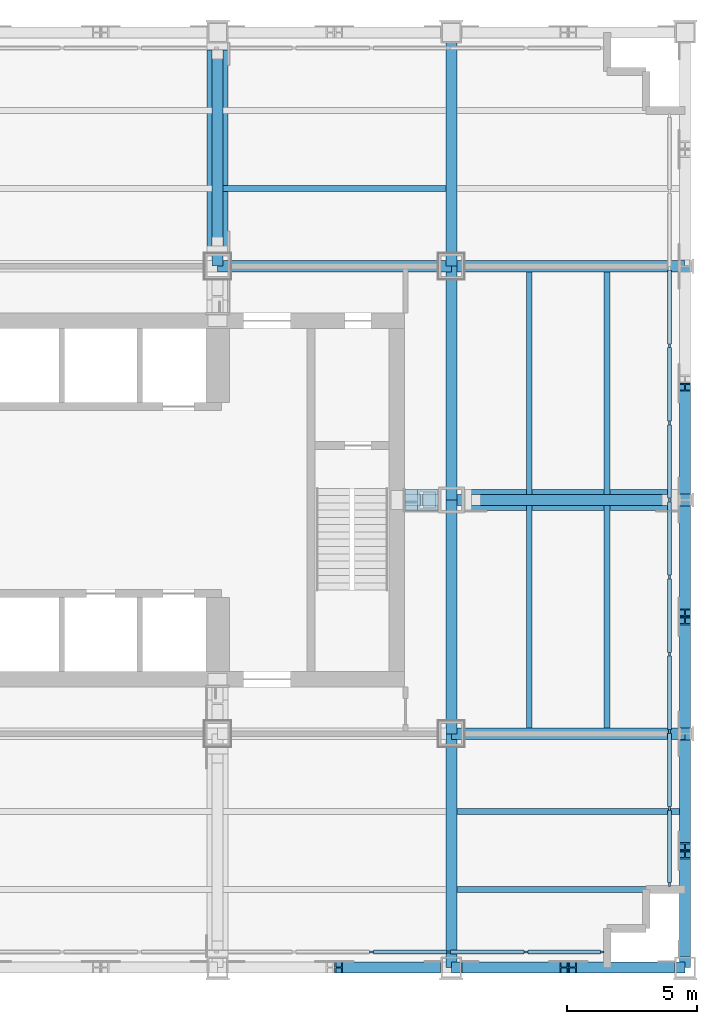
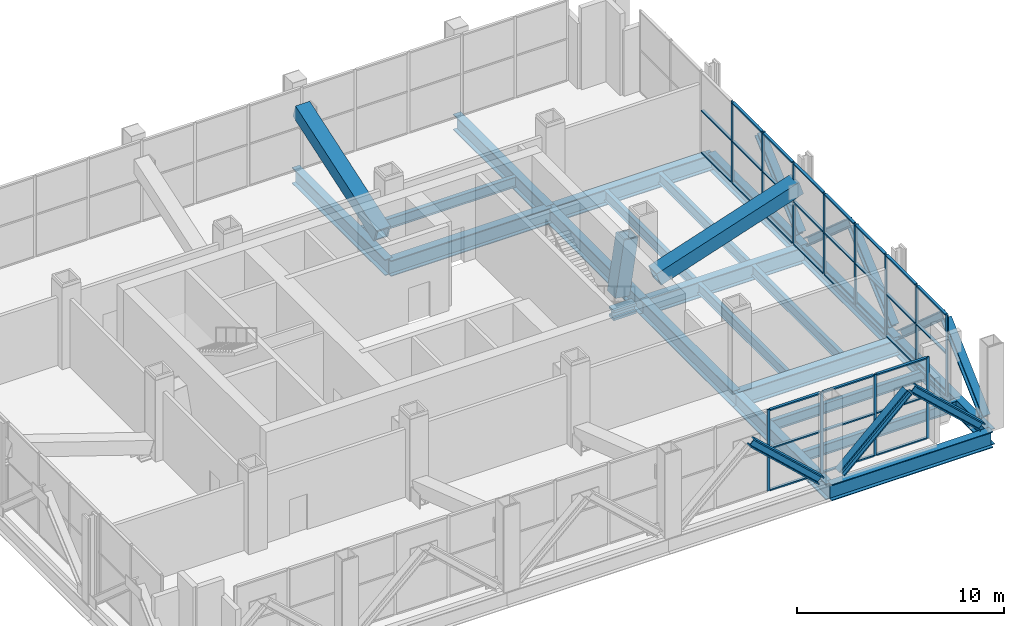
# One storey, part 5 of 16: 56 members, 20 beams, 2 elements without a shape of their own.
"""IFC4 building model written with IfcOpenShell, lengths in metres."""

from ifc_helpers import new_model, si_unit, direction, frame, origin, origin_2d, place, context, subcontext, project, spatial, rectangle, hollow_rectangle, i_section, extrude, material, material_profile, profile_set, type_object, element, aggregate, save


model = new_model("IFC4")

# Units and contexts
model_context = context("Model", 3, precision=1e-05, world=origin(), true_north=direction((0.0, 1.0)))
body_context = subcontext(model_context, "Body", "Model", "MODEL_VIEW")
ifc_project = project(units=[si_unit("LENGTHUNIT", "METRE"), si_unit("AREAUNIT", "SQUARE_METRE"), si_unit("VOLUMEUNIT", "CUBIC_METRE"), si_unit("PLANEANGLEUNIT", "RADIAN"), si_unit("MASSUNIT", "GRAM", prefix="KILO")], contexts=[model_context])

# Site, building, storey
site_placement = place(None, origin())
site = spatial("IfcSite", under=ifc_project, at=site_placement, CompositionType="ELEMENT")
building_placement = place(site_placement, origin())
building = spatial("IfcBuilding", under=site, at=building_placement, Name="Loomwork Tower", CompositionType="ELEMENT")
storey_placement = place(building_placement, frame((0.0, 0.0, 155.39990234375)))
storey = spatial("IfcBuildingStorey", under=building, at=storey_placement, Name="L42", CompositionType="ELEMENT", Elevation=155.39990234375)

# Beams
ifc_material_1 = material(Name="Steel ASTM A992", Category="steel")
ifc_material_profile_1 = material_profile(ifc_material_1, i_section(OverallWidth=0.424072265625, OverallDepth=0.947509765625, WebThickness=0.02392578125, FlangeThickness=0.042724609375, at=origin_2d()), Name="W36x302")
ifc_profile_set_1 = profile_set([ifc_material_profile_1], Name="Steel ASTM A992")
beam_type_1 = type_object("IfcBeamType", Name="BELT CHORD SPANDREL W36x302", PredefinedType="SPANDREL", material=ifc_profile_set_1)
for number, where, z_axis, x_axis, name in (
    (1, (36.0, 0.0, -0.7236328125), (1.0, 0.0, 0.0), (0.0, 1.0, 0.0), "Belt Chord Spandrel D/6-D/7 L42"),
    (2, (45.0, 0.0, -0.7236328125), (0.0, 1.0, 0.0), (-1.0, 0.0, 0.0), "Belt Chord Spandrel D/7-E/7 L42"),
    (3, (45.0, 9.0, -0.7236328125), (0.0, 1.0, 0.0), (-1.0, 0.0, 0.0), "Belt Chord Spandrel E/7-F/7 L42"),
    (4, (45.0, 18.0, -0.7236328125), (0.0, 1.0, 0.0), (-1.0, 0.0, 0.0), "Belt Chord Spandrel F/7-G/7 L42"),
):
    element("IfcBeam", number, at=place(storey_placement, frame(where, z_axis=z_axis, x_axis=x_axis)), inside=storey, type_object=beam_type_1, Name=name, PredefinedType="SPANDREL", context=body_context, shape_type="SweptSolid", body=[
        extrude(i_section(OverallWidth=0.424072265625, OverallDepth=0.947509765625, WebThickness=0.02392578125, FlangeThickness=0.042724609375, at=origin_2d()), origin(), (0.0, 0.0, 1.0), 9.0),
    ])

# Members
ifc_material_2 = material(Name="Steel ASTM A992", Category="steel")
ifc_material_profile_2 = material_profile(ifc_material_2, i_section(OverallWidth=0.419189453125, OverallDepth=0.45458984375, WebThickness=0.042236328125, FlangeThickness=0.067626953125, at=origin_2d()), Name="W14x370")
ifc_profile_set_2 = profile_set([ifc_material_profile_2], Name="Steel ASTM A992")
member_type_1 = type_object("IfcMemberType", Name="BELT TRUSS DIAGONAL W14x370", PredefinedType="BRACE", material=ifc_profile_set_2)
for number, where, z_axis, x_axis, name in (
    (5, (35.435302734375, 0.0, 0.1767578125), (-0.733176969672, 0.0, 0.680037889491), (0.0, -1.0, 0.0), "Belt truss diagonal D/5-D/6 L42"),
    (6, (36.564697265625, 0.0, 0.1767578125), (0.733176969672, 0.0, 0.680037889491), (0.0, 1.0, 0.0), "Belt truss diagonal D/6-D/7 L42"),
    (7, (44.435302734375, 0.0, 0.1767578125), (-0.733176969672, 0.0, 0.680037889491), (0.0, -1.0, 0.0), "Belt truss diagonal D/6-D/7 L42"),
    (8, (45.0, 0.564697265625, 0.1767578125), (0.0, 0.733176969672, 0.680037889491), (-1.0, 0.0, 0.0), "Belt truss diagonal D/7-E/7 L42"),
):
    element("IfcMember", number, at=place(storey_placement, frame(where, z_axis=z_axis, x_axis=x_axis)), inside=storey, type_object=member_type_1, Name=name, PredefinedType="BRACE", context=body_context, shape_type="SweptSolid", body=[
        extrude(i_section(OverallWidth=0.419189453125, OverallDepth=0.45458984375, WebThickness=0.042236328125, FlangeThickness=0.067626953125, at=origin_2d()), origin(), (0.0, 0.0, 1.0), 5.145751953125),
    ])
for number, where, z_axis, x_axis, name in (
    (9, (45.0, 8.61865234375, 0.1806640625), (0.0, -0.750125217925, 0.661295816887), (1.0, 0.0, 0.0), "Belt truss diagonal D/7-E/7 L42"),
    (10, (45.0, 9.38134765625, 0.1806640625), (0.0, 0.750125217925, 0.661295816887), (-1.0, 0.0, 0.0), "Belt truss diagonal E/7-F/7 L42"),
    (11, (45.0, 17.61865234375, 0.1806640625), (0.0, -0.750125217925, 0.661295816887), (1.0, 0.0, 0.0), "Belt truss diagonal E/7-F/7 L42"),
    (12, (45.0, 18.38134765625, 0.1806640625), (0.0, 0.750125217925, 0.661295816887), (-1.0, 0.0, 0.0), "Belt truss diagonal F/7-G/7 L42"),
):
    element("IfcMember", number, at=place(storey_placement, frame(where, z_axis=z_axis, x_axis=x_axis)), inside=storey, type_object=member_type_1, Name=name, PredefinedType="BRACE", context=body_context, shape_type="SweptSolid", body=[
        extrude(i_section(OverallWidth=0.419189453125, OverallDepth=0.45458984375, WebThickness=0.042236328125, FlangeThickness=0.067626953125, at=origin_2d()), origin(), (0.0, 0.0, 1.0), 5.27978515625),
    ])
ifc_material_3 = material(Name="Steel ASTM A572 Grade 50 plate", Category="steel")
ifc_material_profile_3 = material_profile(ifc_material_3, hollow_rectangle(XDim=0.800048828125, YDim=0.800048828125, WallThickness=0.090087890625, at=origin_2d()), Name="BOX800x90")
ifc_profile_set_3 = profile_set([ifc_material_profile_3], Name="Steel ASTM A572 Grade 50 plate")
member_type_2 = type_object("IfcMemberType", Name="OUTRIGGER DIAGONAL BOX800x90", PredefinedType="BRACE", material=ifc_profile_set_3)
member_1_placement = place(storey_placement, frame((44.588134765625, 18.0, 3.4609375), z_axis=(-0.949450194103, 0.0, -0.313917710423), x_axis=(0.0, -1.0, 0.0)))
element("IfcMember", 13, at=member_1_placement, inside=storey, type_object=member_type_2, Name="Outrigger diagonal F/7 L42", PredefinedType="BRACE", context=body_context, shape_type="SweptSolid", body=[
    extrude(hollow_rectangle(XDim=0.800048828125, YDim=0.800048828125, WallThickness=0.090087890625, at=origin_2d()), origin(), (0.0, 0.0, 1.0), 8.373779296875),
])
member_2_placement = place(storey_placement, frame((35.09228515625, 18.0, 3.781982421875), z_axis=(-0.146556688466, 0.0, -0.98920227308), x_axis=(0.0, -1.0, 0.0)))
element("IfcMember", 14, at=member_2_placement, inside=storey, type_object=member_type_2, Name="Outrigger diagonal F/6 L42", PredefinedType="BRACE", context=body_context, shape_type="SweptSolid", body=[
    extrude(hollow_rectangle(XDim=0.800048828125, YDim=0.800048828125, WallThickness=0.090087890625, at=origin_2d()), origin(), (0.0, 0.0, 1.0), 3.306640625),
])
member_3_placement = place(storey_placement, frame((27.0, 35.46044921875, 3.46142578125), z_axis=(0.0, -0.947848598928, -0.318720933593), x_axis=(1.0, 0.0, 0.0)))
element("IfcMember", 15, at=member_3_placement, inside=storey, type_object=member_type_2, Name="Outrigger diagonal H/5 L42", PredefinedType="BRACE", context=body_context, shape_type="SweptSolid", body=[
    extrude(hollow_rectangle(XDim=0.800048828125, YDim=0.800048828125, WallThickness=0.090087890625, at=origin_2d()), origin(), (0.0, 0.0, 1.0), 8.25146484375),
])

# Beams
ifc_material_4 = material(Name="Steel ASTM A992", Category="steel")
ifc_material_profile_4 = material_profile(ifc_material_4, i_section(OverallWidth=0.4267578125, OverallDepth=0.939697265625, WebThickness=0.028564453125, FlangeThickness=0.050537109375, at=origin_2d()), Name="W36x361")
ifc_profile_set_4 = profile_set([ifc_material_profile_4], Name="Steel ASTM A992")
beam_type_2 = type_object("IfcBeamType", Name="OUTRIGGER FLOOR GIRDER W36x361", PredefinedType="BEAM", material=ifc_profile_set_4)
for number, where, z_axis, x_axis, name in (
    (16, (36.0, 9.0, -0.7197265625), (1.0, 0.0, 0.0), (0.0, 1.0, 0.0), "Outrigger Floor Girder E/6-E/7 L42"),
    (17, (27.0, 27.0, -0.7197265625), (1.0, 0.0, 0.0), (0.0, 1.0, 0.0), "Outrigger Floor Girder G/5-G/6 L42"),
    (18, (36.0, 27.0, -0.7197265625), (1.0, 0.0, 0.0), (0.0, 1.0, 0.0), "Outrigger Floor Girder G/6-G/7 L42"),
    (19, (36.0, 0.0, -0.7197265625), (0.0, 1.0, 0.0), (-1.0, 0.0, 0.0), "Outrigger Floor Girder D/6-E/6 L42"),
    (20, (36.0, 9.0, -0.7197265625), (0.0, 1.0, 0.0), (-1.0, 0.0, 0.0), "Outrigger Floor Girder E/6-F/6 L42"),
    (21, (36.0, 18.0, -0.7197265625), (0.0, 1.0, 0.0), (-1.0, 0.0, 0.0), "Outrigger Floor Girder F/6-G/6 L42"),
    (22, (36.0, 27.0, -0.7197265625), (0.0, 1.0, 0.0), (-1.0, 0.0, 0.0), "Outrigger Floor Girder G/6-H/6 L42"),
):
    element("IfcBeam", number, at=place(storey_placement, frame(where, z_axis=z_axis, x_axis=x_axis)), inside=storey, type_object=beam_type_2, Name=name, PredefinedType="BEAM", context=body_context, shape_type="SweptSolid", body=[
        extrude(i_section(OverallWidth=0.4267578125, OverallDepth=0.939697265625, WebThickness=0.028564453125, FlangeThickness=0.050537109375, at=origin_2d()), origin(), (0.0, 0.0, 1.0), 9.0),
    ])
ifc_material_5 = material(Name="Steel ASTM A992", Category="steel")
ifc_material_profile_5 = material_profile(ifc_material_5, i_section(OverallWidth=0.424072265625, OverallDepth=0.947509765625, WebThickness=0.02392578125, FlangeThickness=0.042724609375, at=origin_2d()), Name="W36x302")
ifc_profile_set_5 = profile_set([ifc_material_profile_5], Name="Steel ASTM A992")
beam_type_3 = type_object("IfcBeamType", Name="OUTRIGGER GIRDER W36x302", PredefinedType="BEAM", material=ifc_profile_set_5)
for number, where, z_axis, x_axis, name in (
    (23, (36.0, 18.0, -0.7236328125), (1.0, 0.0, 0.0), (0.0, 1.0, 0.0), "Outrigger Girder F/6-F/7 L42"),
    (24, (27.0, 27.0, -0.7236328125), (0.0, 1.0, 0.0), (-1.0, 0.0, 0.0), "Outrigger Girder G/5-H/5 L42"),
):
    element("IfcBeam", number, at=place(storey_placement, frame(where, z_axis=z_axis, x_axis=x_axis)), inside=storey, type_object=beam_type_3, Name=name, PredefinedType="BEAM", context=body_context, shape_type="SweptSolid", body=[
        extrude(i_section(OverallWidth=0.424072265625, OverallDepth=0.947509765625, WebThickness=0.02392578125, FlangeThickness=0.042724609375, at=origin_2d()), origin(), (0.0, 0.0, 1.0), 9.0),
    ])

# Member
ifc_material_6 = material(Name="Steel ASTM A992", Category="steel")
ifc_material_profile_6 = material_profile(ifc_material_6, i_section(OverallWidth=0.4775390625, OverallDepth=0.599365234375, WebThickness=0.10009765625, FlangeThickness=0.139892578125, at=origin_2d()), Name="W14x873")
ifc_profile_set_6 = profile_set([ifc_material_profile_6], Name="Steel ASTM A992")
member_type_3 = type_object("IfcMemberType", Name="OUTRIGGER STRUT W14x873", PredefinedType="STRUT", material=ifc_profile_set_6)
member_4_placement = place(storey_placement, frame((35.489990234375, 18.0, -0.549560546875), z_axis=(-1.0, 0.0, 0.0), x_axis=(0.0, -1.0, 0.0)))
element("IfcMember", 25, at=member_4_placement, inside=storey, type_object=member_type_3, Name="Outrigger strut F/6-33.900,18.000 L42", PredefinedType="STRUT", context=body_context, shape_type="SweptSolid", body=[
    extrude(i_section(OverallWidth=0.4775390625, OverallDepth=0.599365234375, WebThickness=0.10009765625, FlangeThickness=0.139892578125, at=origin_2d()), origin(), (0.0, 0.0, 1.0), 1.27490234375),
])

# Beams
ifc_material_7 = material(Name="Steel ASTM A992", Category="steel")
ifc_material_profile_7 = material_profile(ifc_material_7, i_section(OverallWidth=0.228271484375, OverallDepth=0.607177734375, WebThickness=0.01123046875, FlangeThickness=0.017333984375, at=origin_2d()), Name="W24x76")
ifc_profile_set_7 = profile_set([ifc_material_profile_7], Name="Steel ASTM A992")
beam_type_4 = type_object("IfcBeamType", Name="PLANT FLOOR JOIST W24x76", PredefinedType="JOIST", material=ifc_profile_set_7)
for number, where, z_axis, x_axis, name in (
    (26, (27.2119140625, 30.0, -0.553466796875), (1.0, 0.0, 0.0), (0.0, 1.0, 0.0), "Plant Floor Joist 27.000,30.000-36.000,30.000 L42"),
    (27, (36.212890625, 3.0, -0.553466796875), (1.0, 0.0, 0.0), (0.0, 1.0, 0.0), "Plant Floor Joist 36.000,3.000-45.000,3.000 L42"),
    (28, (36.212890625, 6.0, -0.553466796875), (1.0, 0.0, 0.0), (0.0, 1.0, 0.0), "Plant Floor Joist 36.000,6.000-45.000,6.000 L42"),
    (29, (39.0, 9.212890625, -0.553466796875), (0.0, 1.0, 0.0), (-1.0, 0.0, 0.0), "Plant Floor Joist 39.000,9.000-39.000,18.000 L42"),
    (30, (42.0, 9.212890625, -0.553466796875), (0.0, 1.0, 0.0), (-1.0, 0.0, 0.0), "Plant Floor Joist 42.000,9.000-42.000,18.000 L42"),
    (31, (39.0, 18.2119140625, -0.553466796875), (0.0, 1.0, 0.0), (-1.0, 0.0, 0.0), "Plant Floor Joist 39.000,18.000-39.000,27.000 L42"),
    (32, (42.0, 18.2119140625, -0.553466796875), (0.0, 1.0, 0.0), (-1.0, 0.0, 0.0), "Plant Floor Joist 42.000,18.000-42.000,27.000 L42"),
):
    element("IfcBeam", number, at=place(storey_placement, frame(where, z_axis=z_axis, x_axis=x_axis)), inside=storey, type_object=beam_type_4, Name=name, PredefinedType="JOIST", context=body_context, shape_type="SweptSolid", body=[
        extrude(i_section(OverallWidth=0.228271484375, OverallDepth=0.607177734375, WebThickness=0.01123046875, FlangeThickness=0.017333984375, at=origin_2d()), origin(), (0.0, 0.0, 1.0), 8.5751953125),
    ])

# Curtain wall, members
ifc_material_8 = material(Name="Aluminium louvre frame", Category="aluminium")
curtain_wall_type = type_object("IfcCurtainWallType", Name="Plant floor louvre screen", PredefinedType="NOTDEFINED", material=ifc_material_8)
curtain_wall_1_placement = place(storey_placement, origin())
curtain_wall_1 = element("IfcCurtainWall", 33, at=curtain_wall_1_placement, inside=storey, type_object=curtain_wall_type, Name="Plant floor louvre screen cw/S", PredefinedType="NOTDEFINED")
ifc_material_9 = material(Name="Aluminium louvre frame", Category="aluminium")
ifc_material_profile_8 = material_profile(ifc_material_9, rectangle(XDim=0.080078125, YDim=0.14990234375, at=origin_2d()), Name="AL 80x150")
ifc_profile_set_8 = profile_set([ifc_material_profile_8], Name="Aluminium louvre frame")
member_type_4 = type_object("IfcMemberType", Name="Plant floor louvre screen mullion", PredefinedType="MULLION", material=ifc_profile_set_8)
member_5_placement = place(storey_placement, frame((32.919189453125, 0.60009765625, 0.0), z_axis=(0.0, 0.0, 1.0), x_axis=(0.0, 1.0, 0.0)))
member_5 = element("IfcMember", 34, at=member_5_placement, type_object=member_type_4, Name="CW4 mullion 11", PredefinedType="MULLION", context=body_context, shape_type="SweptSolid", body=[
    extrude(rectangle(XDim=0.080078125, YDim=0.14990234375, at=origin_2d()), origin(), (0.0, 0.0, 1.0), 4.800048828125),
])
member_6_placement = place(storey_placement, frame((35.896240234375, 0.60009765625, 0.0), z_axis=(0.0, 0.0, 1.0), x_axis=(0.0, 1.0, 0.0)))
member_6 = element("IfcMember", 35, at=member_6_placement, type_object=member_type_4, Name="CW4 mullion 12", PredefinedType="MULLION", context=body_context, shape_type="SweptSolid", body=[
    extrude(rectangle(XDim=0.080078125, YDim=0.14990234375, at=origin_2d()), origin(), (0.0, 0.0, 1.0), 4.800048828125),
])
member_7_placement = place(storey_placement, frame((38.873046875, 0.60009765625, 0.0), z_axis=(0.0, 0.0, 1.0), x_axis=(0.0, 1.0, 0.0)))
member_7 = element("IfcMember", 36, at=member_7_placement, type_object=member_type_4, Name="CW4 mullion 13", PredefinedType="MULLION", context=body_context, shape_type="SweptSolid", body=[
    extrude(rectangle(XDim=0.080078125, YDim=0.14990234375, at=origin_2d()), origin(), (0.0, 0.0, 1.0), 4.800048828125),
])
member_8_placement = place(storey_placement, frame((41.81005859375, 0.60009765625, 0.0), z_axis=(0.0, 0.0, 1.0), x_axis=(0.0, 1.0, 0.0)))
member_8 = element("IfcMember", 37, at=member_8_placement, type_object=member_type_4, Name="CW4 mullion 14", PredefinedType="MULLION", context=body_context, shape_type="SweptSolid", body=[
    extrude(rectangle(XDim=0.080078125, YDim=0.14990234375, at=origin_2d()), origin(), (0.0, 0.0, 1.0), 4.800048828125),
])

curtain_wall_2_placement = place(storey_placement, origin())
curtain_wall_2 = element("IfcCurtainWall", 38, at=curtain_wall_2_placement, inside=storey, type_object=curtain_wall_type, Name="Plant floor louvre screen cw/E", PredefinedType="NOTDEFINED")
member_9_placement = place(storey_placement, frame((44.39990234375, 3.18994140625, 0.0), z_axis=(0.0, 0.0, 1.0), x_axis=(-1.0, 0.0, 0.0)))
member_9 = element("IfcMember", 39, at=member_9_placement, type_object=member_type_4, Name="CW4 mullion 1", PredefinedType="MULLION", context=body_context, shape_type="SweptSolid", body=[
    extrude(rectangle(XDim=0.080078125, YDim=0.14990234375, at=origin_2d()), origin(), (0.0, 0.0, 1.0), 4.800048828125),
])
member_10_placement = place(storey_placement, frame((44.39990234375, 6.1201171875, 0.0), z_axis=(0.0, 0.0, 1.0), x_axis=(-1.0, 0.0, 0.0)))
member_10 = element("IfcMember", 40, at=member_10_placement, type_object=member_type_4, Name="CW4 mullion 2", PredefinedType="MULLION", context=body_context, shape_type="SweptSolid", body=[
    extrude(rectangle(XDim=0.080078125, YDim=0.14990234375, at=origin_2d()), origin(), (0.0, 0.0, 1.0), 4.800048828125),
])
member_11_placement = place(storey_placement, frame((44.39990234375, 9.090087890625, 0.0), z_axis=(0.0, 0.0, 1.0), x_axis=(-1.0, 0.0, 0.0)))
member_11 = element("IfcMember", 41, at=member_11_placement, type_object=member_type_4, Name="CW4 mullion 3", PredefinedType="MULLION", context=body_context, shape_type="SweptSolid", body=[
    extrude(rectangle(XDim=0.080078125, YDim=0.14990234375, at=origin_2d()), origin(), (0.0, 0.0, 1.0), 4.800048828125),
])
member_12_placement = place(storey_placement, frame((44.39990234375, 12.06005859375, 0.0), z_axis=(0.0, 0.0, 1.0), x_axis=(-1.0, 0.0, 0.0)))
member_12 = element("IfcMember", 42, at=member_12_placement, type_object=member_type_4, Name="CW4 mullion 4", PredefinedType="MULLION", context=body_context, shape_type="SweptSolid", body=[
    extrude(rectangle(XDim=0.080078125, YDim=0.14990234375, at=origin_2d()), origin(), (0.0, 0.0, 1.0), 4.800048828125),
])
member_13_placement = place(storey_placement, frame((44.39990234375, 15.030029296875, 0.0), z_axis=(0.0, 0.0, 1.0), x_axis=(-1.0, 0.0, 0.0)))
member_13 = element("IfcMember", 43, at=member_13_placement, type_object=member_type_4, Name="CW4 mullion 5", PredefinedType="MULLION", context=body_context, shape_type="SweptSolid", body=[
    extrude(rectangle(XDim=0.080078125, YDim=0.14990234375, at=origin_2d()), origin(), (0.0, 0.0, 1.0), 4.800048828125),
])
member_14_placement = place(storey_placement, frame((44.39990234375, 18.0, 0.0), z_axis=(0.0, 0.0, 1.0), x_axis=(-1.0, 0.0, 0.0)))
member_14 = element("IfcMember", 44, at=member_14_placement, type_object=member_type_4, Name="CW4 mullion 6", PredefinedType="MULLION", context=body_context, shape_type="SweptSolid", body=[
    extrude(rectangle(XDim=0.080078125, YDim=0.14990234375, at=origin_2d()), origin(), (0.0, 0.0, 1.0), 4.800048828125),
])
member_15_placement = place(storey_placement, frame((44.39990234375, 20.969970703125, 0.0), z_axis=(0.0, 0.0, 1.0), x_axis=(-1.0, 0.0, 0.0)))
member_15 = element("IfcMember", 45, at=member_15_placement, type_object=member_type_4, Name="CW4 mullion 7", PredefinedType="MULLION", context=body_context, shape_type="SweptSolid", body=[
    extrude(rectangle(XDim=0.080078125, YDim=0.14990234375, at=origin_2d()), origin(), (0.0, 0.0, 1.0), 4.800048828125),
])
member_16_placement = place(storey_placement, frame((44.39990234375, 23.93994140625, 0.0), z_axis=(0.0, 0.0, 1.0), x_axis=(-1.0, 0.0, 0.0)))
member_16 = element("IfcMember", 46, at=member_16_placement, type_object=member_type_4, Name="CW4 mullion 8", PredefinedType="MULLION", context=body_context, shape_type="SweptSolid", body=[
    extrude(rectangle(XDim=0.080078125, YDim=0.14990234375, at=origin_2d()), origin(), (0.0, 0.0, 1.0), 4.800048828125),
])

# Member
ifc_material_10 = material(Name="Aluminium louvre frame", Category="aluminium")
ifc_material_profile_9 = material_profile(ifc_material_10, rectangle(XDim=0.14990234375, YDim=0.080078125, at=origin_2d()), Name="AL 80x150")
ifc_profile_set_9 = profile_set([ifc_material_profile_9], Name="Aluminium louvre frame")
member_type_5 = type_object("IfcMemberType", Name="Plant floor louvre screen transom", PredefinedType="USERDEFINED", material=ifc_profile_set_9)
member_17_placement = place(storey_placement, frame((32.994140625, 0.60009765625, 0.0400390625), z_axis=(1.0, 0.0, 0.0), x_axis=(0.0, 1.0, 0.0)))
member_17 = element("IfcMember", 47, at=member_17_placement, type_object=member_type_5, Name="CW4 transom 11.1", ObjectType="TRANSOM", PredefinedType="USERDEFINED", context=body_context, shape_type="SweptSolid", body=[
    extrude(rectangle(XDim=0.14990234375, YDim=0.080078125, at=origin_2d()), origin(), (0.0, 0.0, 1.0), 2.826904296875),
])

member_18_placement = place(storey_placement, frame((32.994140625, 0.60009765625, 2.5), z_axis=(1.0, 0.0, 0.0), x_axis=(0.0, 1.0, 0.0)))
member_18 = element("IfcMember", 48, at=member_18_placement, type_object=member_type_5, Name="CW4 transom 11.2", ObjectType="TRANSOM", PredefinedType="USERDEFINED", context=body_context, shape_type="SweptSolid", body=[
    extrude(rectangle(XDim=0.14990234375, YDim=0.080078125, at=origin_2d()), origin(), (0.0, 0.0, 1.0), 2.826904296875),
])

member_19_placement = place(storey_placement, frame((32.994140625, 0.60009765625, 4.760009765625), z_axis=(1.0, 0.0, 0.0), x_axis=(0.0, 1.0, 0.0)))
member_19 = element("IfcMember", 49, at=member_19_placement, type_object=member_type_5, Name="CW4 transom 11.3", ObjectType="TRANSOM", PredefinedType="USERDEFINED", context=body_context, shape_type="SweptSolid", body=[
    extrude(rectangle(XDim=0.14990234375, YDim=0.080078125, at=origin_2d()), origin(), (0.0, 0.0, 1.0), 2.826904296875),
])

member_20_placement = place(storey_placement, frame((35.97119140625, 0.60009765625, 0.0400390625), z_axis=(1.0, 0.0, 0.0), x_axis=(0.0, 1.0, 0.0)))
member_20 = element("IfcMember", 50, at=member_20_placement, type_object=member_type_5, Name="CW4 transom 12.1", ObjectType="TRANSOM", PredefinedType="USERDEFINED", context=body_context, shape_type="SweptSolid", body=[
    extrude(rectangle(XDim=0.14990234375, YDim=0.080078125, at=origin_2d()), origin(), (0.0, 0.0, 1.0), 2.826904296875),
])

member_21_placement = place(storey_placement, frame((35.97119140625, 0.60009765625, 2.5), z_axis=(1.0, 0.0, 0.0), x_axis=(0.0, 1.0, 0.0)))
member_21 = element("IfcMember", 51, at=member_21_placement, type_object=member_type_5, Name="CW4 transom 12.2", ObjectType="TRANSOM", PredefinedType="USERDEFINED", context=body_context, shape_type="SweptSolid", body=[
    extrude(rectangle(XDim=0.14990234375, YDim=0.080078125, at=origin_2d()), origin(), (0.0, 0.0, 1.0), 2.826904296875),
])

member_22_placement = place(storey_placement, frame((35.97119140625, 0.60009765625, 4.760009765625), z_axis=(1.0, 0.0, 0.0), x_axis=(0.0, 1.0, 0.0)))
member_22 = element("IfcMember", 52, at=member_22_placement, type_object=member_type_5, Name="CW4 transom 12.3", ObjectType="TRANSOM", PredefinedType="USERDEFINED", context=body_context, shape_type="SweptSolid", body=[
    extrude(rectangle(XDim=0.14990234375, YDim=0.080078125, at=origin_2d()), origin(), (0.0, 0.0, 1.0), 2.826904296875),
])

member_23_placement = place(storey_placement, frame((38.947998046875, 0.60009765625, 0.0400390625), z_axis=(1.0, 0.0, 0.0), x_axis=(0.0, 1.0, 0.0)))
member_23 = element("IfcMember", 53, at=member_23_placement, type_object=member_type_5, Name="CW4 transom 13.1", ObjectType="TRANSOM", PredefinedType="USERDEFINED", context=body_context, shape_type="SweptSolid", body=[
    extrude(rectangle(XDim=0.14990234375, YDim=0.080078125, at=origin_2d()), origin(), (0.0, 0.0, 1.0), 2.787109375),
])

member_24_placement = place(storey_placement, frame((38.947998046875, 0.60009765625, 2.5), z_axis=(1.0, 0.0, 0.0), x_axis=(0.0, 1.0, 0.0)))
member_24 = element("IfcMember", 54, at=member_24_placement, type_object=member_type_5, Name="CW4 transom 13.2", ObjectType="TRANSOM", PredefinedType="USERDEFINED", context=body_context, shape_type="SweptSolid", body=[
    extrude(rectangle(XDim=0.14990234375, YDim=0.080078125, at=origin_2d()), origin(), (0.0, 0.0, 1.0), 2.787109375),
])

member_25_placement = place(storey_placement, frame((38.947998046875, 0.60009765625, 4.760009765625), z_axis=(1.0, 0.0, 0.0), x_axis=(0.0, 1.0, 0.0)))
member_25 = element("IfcMember", 55, at=member_25_placement, type_object=member_type_5, Name="CW4 transom 13.3", ObjectType="TRANSOM", PredefinedType="USERDEFINED", context=body_context, shape_type="SweptSolid", body=[
    extrude(rectangle(XDim=0.14990234375, YDim=0.080078125, at=origin_2d()), origin(), (0.0, 0.0, 1.0), 2.787109375),
])

aggregate(curtain_wall_1, [member_5, member_6, member_7, member_8, member_17, member_18, member_19, member_20, member_21, member_22, member_23, member_24, member_25])

member_26_placement = place(storey_placement, frame((44.39990234375, 3.264892578125, 0.0400390625), z_axis=(0.0, 1.0, 0.0), x_axis=(-1.0, 0.0, 0.0)))
member_26 = element("IfcMember", 56, at=member_26_placement, type_object=member_type_5, Name="CW4 transom 1.1", ObjectType="TRANSOM", PredefinedType="USERDEFINED", context=body_context, shape_type="SweptSolid", body=[
    extrude(rectangle(XDim=0.14990234375, YDim=0.080078125, at=origin_2d()), origin(), (0.0, 0.0, 1.0), 2.780029296875),
])

member_27_placement = place(storey_placement, frame((44.39990234375, 3.264892578125, 2.5), z_axis=(0.0, 1.0, 0.0), x_axis=(-1.0, 0.0, 0.0)))
member_27 = element("IfcMember", 57, at=member_27_placement, type_object=member_type_5, Name="CW4 transom 1.2", ObjectType="TRANSOM", PredefinedType="USERDEFINED", context=body_context, shape_type="SweptSolid", body=[
    extrude(rectangle(XDim=0.14990234375, YDim=0.080078125, at=origin_2d()), origin(), (0.0, 0.0, 1.0), 2.780029296875),
])

member_28_placement = place(storey_placement, frame((44.39990234375, 3.264892578125, 4.760009765625), z_axis=(0.0, 1.0, 0.0), x_axis=(-1.0, 0.0, 0.0)))
member_28 = element("IfcMember", 58, at=member_28_placement, type_object=member_type_5, Name="CW4 transom 1.3", ObjectType="TRANSOM", PredefinedType="USERDEFINED", context=body_context, shape_type="SweptSolid", body=[
    extrude(rectangle(XDim=0.14990234375, YDim=0.080078125, at=origin_2d()), origin(), (0.0, 0.0, 1.0), 2.780029296875),
])

member_29_placement = place(storey_placement, frame((44.39990234375, 6.195068359375, 0.0400390625), z_axis=(0.0, 1.0, 0.0), x_axis=(-1.0, 0.0, 0.0)))
member_29 = element("IfcMember", 59, at=member_29_placement, type_object=member_type_5, Name="CW4 transom 2.1", ObjectType="TRANSOM", PredefinedType="USERDEFINED", context=body_context, shape_type="SweptSolid", body=[
    extrude(rectangle(XDim=0.14990234375, YDim=0.080078125, at=origin_2d()), origin(), (0.0, 0.0, 1.0), 2.81982421875),
])

member_30_placement = place(storey_placement, frame((44.39990234375, 6.195068359375, 2.5), z_axis=(0.0, 1.0, 0.0), x_axis=(-1.0, 0.0, 0.0)))
member_30 = element("IfcMember", 60, at=member_30_placement, type_object=member_type_5, Name="CW4 transom 2.2", ObjectType="TRANSOM", PredefinedType="USERDEFINED", context=body_context, shape_type="SweptSolid", body=[
    extrude(rectangle(XDim=0.14990234375, YDim=0.080078125, at=origin_2d()), origin(), (0.0, 0.0, 1.0), 2.81982421875),
])

member_31_placement = place(storey_placement, frame((44.39990234375, 6.195068359375, 4.760009765625), z_axis=(0.0, 1.0, 0.0), x_axis=(-1.0, 0.0, 0.0)))
member_31 = element("IfcMember", 61, at=member_31_placement, type_object=member_type_5, Name="CW4 transom 2.3", ObjectType="TRANSOM", PredefinedType="USERDEFINED", context=body_context, shape_type="SweptSolid", body=[
    extrude(rectangle(XDim=0.14990234375, YDim=0.080078125, at=origin_2d()), origin(), (0.0, 0.0, 1.0), 2.81982421875),
])

member_32_placement = place(storey_placement, frame((44.39990234375, 9.1650390625, 0.0400390625), z_axis=(0.0, 1.0, 0.0), x_axis=(-1.0, 0.0, 0.0)))
member_32 = element("IfcMember", 62, at=member_32_placement, type_object=member_type_5, Name="CW4 transom 3.1", ObjectType="TRANSOM", PredefinedType="USERDEFINED", context=body_context, shape_type="SweptSolid", body=[
    extrude(rectangle(XDim=0.14990234375, YDim=0.080078125, at=origin_2d()), origin(), (0.0, 0.0, 1.0), 2.820068359375),
])

member_33_placement = place(storey_placement, frame((44.39990234375, 9.1650390625, 2.5), z_axis=(0.0, 1.0, 0.0), x_axis=(-1.0, 0.0, 0.0)))
member_33 = element("IfcMember", 63, at=member_33_placement, type_object=member_type_5, Name="CW4 transom 3.2", ObjectType="TRANSOM", PredefinedType="USERDEFINED", context=body_context, shape_type="SweptSolid", body=[
    extrude(rectangle(XDim=0.14990234375, YDim=0.080078125, at=origin_2d()), origin(), (0.0, 0.0, 1.0), 2.820068359375),
])

member_34_placement = place(storey_placement, frame((44.39990234375, 9.1650390625, 4.760009765625), z_axis=(0.0, 1.0, 0.0), x_axis=(-1.0, 0.0, 0.0)))
member_34 = element("IfcMember", 64, at=member_34_placement, type_object=member_type_5, Name="CW4 transom 3.3", ObjectType="TRANSOM", PredefinedType="USERDEFINED", context=body_context, shape_type="SweptSolid", body=[
    extrude(rectangle(XDim=0.14990234375, YDim=0.080078125, at=origin_2d()), origin(), (0.0, 0.0, 1.0), 2.820068359375),
])

member_35_placement = place(storey_placement, frame((44.39990234375, 12.135009765625, 0.0400390625), z_axis=(0.0, 1.0, 0.0), x_axis=(-1.0, 0.0, 0.0)))
member_35 = element("IfcMember", 65, at=member_35_placement, type_object=member_type_5, Name="CW4 transom 4.1", ObjectType="TRANSOM", PredefinedType="USERDEFINED", context=body_context, shape_type="SweptSolid", body=[
    extrude(rectangle(XDim=0.14990234375, YDim=0.080078125, at=origin_2d()), origin(), (0.0, 0.0, 1.0), 2.820068359375),
])

member_36_placement = place(storey_placement, frame((44.39990234375, 12.135009765625, 2.5), z_axis=(0.0, 1.0, 0.0), x_axis=(-1.0, 0.0, 0.0)))
member_36 = element("IfcMember", 66, at=member_36_placement, type_object=member_type_5, Name="CW4 transom 4.2", ObjectType="TRANSOM", PredefinedType="USERDEFINED", context=body_context, shape_type="SweptSolid", body=[
    extrude(rectangle(XDim=0.14990234375, YDim=0.080078125, at=origin_2d()), origin(), (0.0, 0.0, 1.0), 2.820068359375),
])

member_37_placement = place(storey_placement, frame((44.39990234375, 12.135009765625, 4.760009765625), z_axis=(0.0, 1.0, 0.0), x_axis=(-1.0, 0.0, 0.0)))
member_37 = element("IfcMember", 67, at=member_37_placement, type_object=member_type_5, Name="CW4 transom 4.3", ObjectType="TRANSOM", PredefinedType="USERDEFINED", context=body_context, shape_type="SweptSolid", body=[
    extrude(rectangle(XDim=0.14990234375, YDim=0.080078125, at=origin_2d()), origin(), (0.0, 0.0, 1.0), 2.820068359375),
])

member_38_placement = place(storey_placement, frame((44.39990234375, 15.10498046875, 0.0400390625), z_axis=(0.0, 1.0, 0.0), x_axis=(-1.0, 0.0, 0.0)))
member_38 = element("IfcMember", 68, at=member_38_placement, type_object=member_type_5, Name="CW4 transom 5.1", ObjectType="TRANSOM", PredefinedType="USERDEFINED", context=body_context, shape_type="SweptSolid", body=[
    extrude(rectangle(XDim=0.14990234375, YDim=0.080078125, at=origin_2d()), origin(), (0.0, 0.0, 1.0), 2.820068359375),
])

member_39_placement = place(storey_placement, frame((44.39990234375, 15.10498046875, 2.5), z_axis=(0.0, 1.0, 0.0), x_axis=(-1.0, 0.0, 0.0)))
member_39 = element("IfcMember", 69, at=member_39_placement, type_object=member_type_5, Name="CW4 transom 5.2", ObjectType="TRANSOM", PredefinedType="USERDEFINED", context=body_context, shape_type="SweptSolid", body=[
    extrude(rectangle(XDim=0.14990234375, YDim=0.080078125, at=origin_2d()), origin(), (0.0, 0.0, 1.0), 2.820068359375),
])

member_40_placement = place(storey_placement, frame((44.39990234375, 15.10498046875, 4.760009765625), z_axis=(0.0, 1.0, 0.0), x_axis=(-1.0, 0.0, 0.0)))
member_40 = element("IfcMember", 70, at=member_40_placement, type_object=member_type_5, Name="CW4 transom 5.3", ObjectType="TRANSOM", PredefinedType="USERDEFINED", context=body_context, shape_type="SweptSolid", body=[
    extrude(rectangle(XDim=0.14990234375, YDim=0.080078125, at=origin_2d()), origin(), (0.0, 0.0, 1.0), 2.820068359375),
])

member_41_placement = place(storey_placement, frame((44.39990234375, 18.074951171875, 0.0400390625), z_axis=(0.0, 1.0, 0.0), x_axis=(-1.0, 0.0, 0.0)))
member_41 = element("IfcMember", 71, at=member_41_placement, type_object=member_type_5, Name="CW4 transom 6.1", ObjectType="TRANSOM", PredefinedType="USERDEFINED", context=body_context, shape_type="SweptSolid", body=[
    extrude(rectangle(XDim=0.14990234375, YDim=0.080078125, at=origin_2d()), origin(), (0.0, 0.0, 1.0), 2.820068359375),
])

member_42_placement = place(storey_placement, frame((44.39990234375, 18.074951171875, 2.5), z_axis=(0.0, 1.0, 0.0), x_axis=(-1.0, 0.0, 0.0)))
member_42 = element("IfcMember", 72, at=member_42_placement, type_object=member_type_5, Name="CW4 transom 6.2", ObjectType="TRANSOM", PredefinedType="USERDEFINED", context=body_context, shape_type="SweptSolid", body=[
    extrude(rectangle(XDim=0.14990234375, YDim=0.080078125, at=origin_2d()), origin(), (0.0, 0.0, 1.0), 2.820068359375),
])

member_43_placement = place(storey_placement, frame((44.39990234375, 18.074951171875, 4.760009765625), z_axis=(0.0, 1.0, 0.0), x_axis=(-1.0, 0.0, 0.0)))
member_43 = element("IfcMember", 73, at=member_43_placement, type_object=member_type_5, Name="CW4 transom 6.3", ObjectType="TRANSOM", PredefinedType="USERDEFINED", context=body_context, shape_type="SweptSolid", body=[
    extrude(rectangle(XDim=0.14990234375, YDim=0.080078125, at=origin_2d()), origin(), (0.0, 0.0, 1.0), 2.820068359375),
])

member_44_placement = place(storey_placement, frame((44.39990234375, 21.044921875, 0.0400390625), z_axis=(0.0, 1.0, 0.0), x_axis=(-1.0, 0.0, 0.0)))
member_44 = element("IfcMember", 74, at=member_44_placement, type_object=member_type_5, Name="CW4 transom 7.1", ObjectType="TRANSOM", PredefinedType="USERDEFINED", context=body_context, shape_type="SweptSolid", body=[
    extrude(rectangle(XDim=0.14990234375, YDim=0.080078125, at=origin_2d()), origin(), (0.0, 0.0, 1.0), 2.820068359375),
])

member_45_placement = place(storey_placement, frame((44.39990234375, 21.044921875, 2.5), z_axis=(0.0, 1.0, 0.0), x_axis=(-1.0, 0.0, 0.0)))
member_45 = element("IfcMember", 75, at=member_45_placement, type_object=member_type_5, Name="CW4 transom 7.2", ObjectType="TRANSOM", PredefinedType="USERDEFINED", context=body_context, shape_type="SweptSolid", body=[
    extrude(rectangle(XDim=0.14990234375, YDim=0.080078125, at=origin_2d()), origin(), (0.0, 0.0, 1.0), 2.820068359375),
])

member_46_placement = place(storey_placement, frame((44.39990234375, 21.044921875, 4.760009765625), z_axis=(0.0, 1.0, 0.0), x_axis=(-1.0, 0.0, 0.0)))
member_46 = element("IfcMember", 76, at=member_46_placement, type_object=member_type_5, Name="CW4 transom 7.3", ObjectType="TRANSOM", PredefinedType="USERDEFINED", context=body_context, shape_type="SweptSolid", body=[
    extrude(rectangle(XDim=0.14990234375, YDim=0.080078125, at=origin_2d()), origin(), (0.0, 0.0, 1.0), 2.820068359375),
])

member_47_placement = place(storey_placement, frame((44.39990234375, 24.014892578125, 0.0400390625), z_axis=(0.0, 1.0, 0.0), x_axis=(-1.0, 0.0, 0.0)))
member_47 = element("IfcMember", 77, at=member_47_placement, type_object=member_type_5, Name="CW4 transom 8.1", ObjectType="TRANSOM", PredefinedType="USERDEFINED", context=body_context, shape_type="SweptSolid", body=[
    extrude(rectangle(XDim=0.14990234375, YDim=0.080078125, at=origin_2d()), origin(), (0.0, 0.0, 1.0), 2.820068359375),
])

member_48_placement = place(storey_placement, frame((44.39990234375, 24.014892578125, 2.5), z_axis=(0.0, 1.0, 0.0), x_axis=(-1.0, 0.0, 0.0)))
member_48 = element("IfcMember", 78, at=member_48_placement, type_object=member_type_5, Name="CW4 transom 8.2", ObjectType="TRANSOM", PredefinedType="USERDEFINED", context=body_context, shape_type="SweptSolid", body=[
    extrude(rectangle(XDim=0.14990234375, YDim=0.080078125, at=origin_2d()), origin(), (0.0, 0.0, 1.0), 2.820068359375),
])

aggregate(curtain_wall_2, [member_9, member_10, member_11, member_12, member_13, member_14, member_15, member_16, member_26, member_27, member_28, member_29, member_30, member_31, member_32, member_33, member_34, member_35, member_36, member_37, member_38, member_39, member_40, member_41, member_42, member_43, member_44, member_45, member_46, member_47, member_48])

save(model, "model.ifc")
